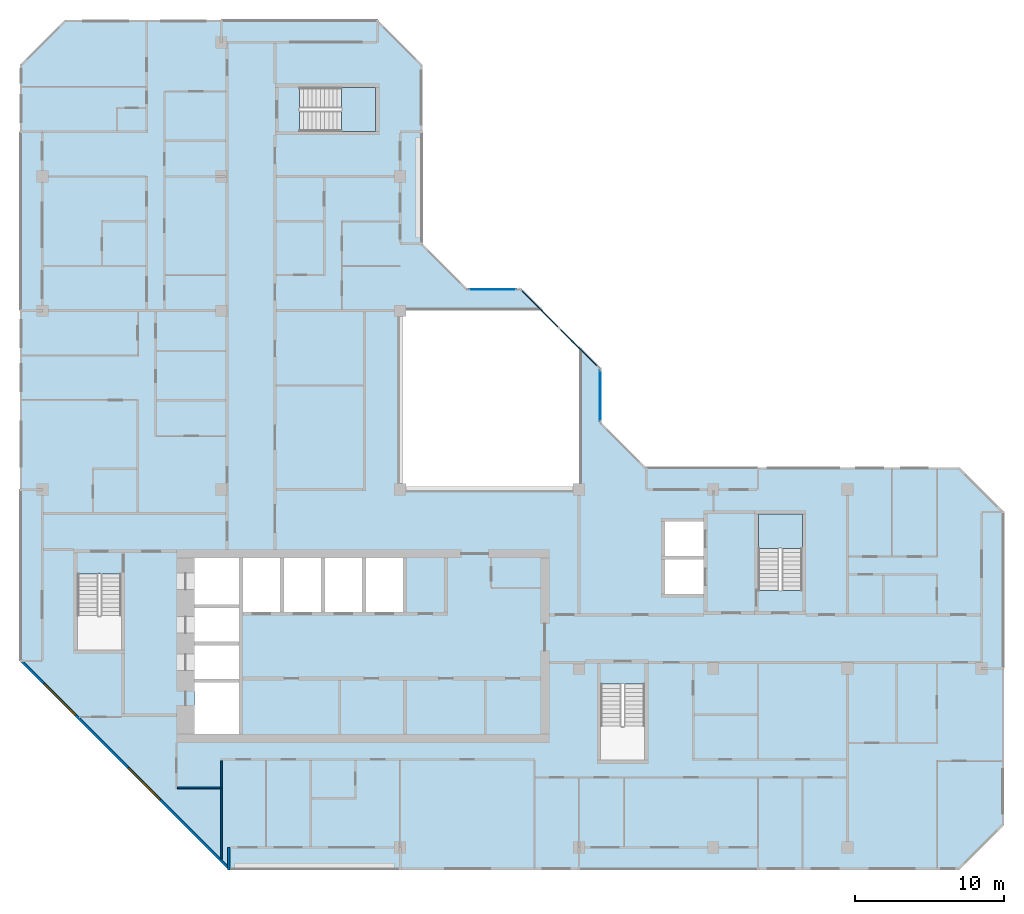
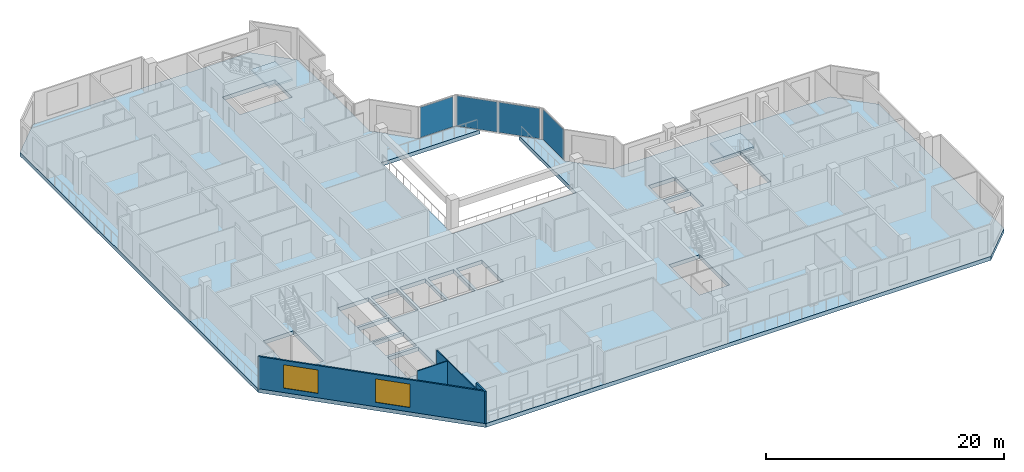
# One storey, part 3 of 13: 4 plates, 4 walls, 3 slabs, 2 windows, 2 openings, 5 elements without a shape of their own.
"""IFC4 building model written with IfcOpenShell, lengths in metres."""

import ifcopenshell
import ifcopenshell.guid

model = None  # the IFC model being written
_history = None  # IfcOwnerHistory: only IFC2X3 demands one
_inside = {}  # id of a spatial element -> (the spatial element, [elements in it])
_under = {}  # id of a project, library or spatial element -> (it, [spatial elements below it])
_declared = {}  # id of a project -> (the project, [libraries it declares])
_typed = {}  # id of a type object -> (the type object, [elements of that type])
_made_of = {}  # id of a material, layer set ... -> (it, [elements and type objects made of it])


def new_model(schema):
    """Start an empty IFC model of exactly this schema.

    Asked for "IFC4X3", IfcOpenShell would pick the latest addendum, in which some entities
    have other attributes; the version numbers below select the first issue.
    IFC2X3 requires an IfcOwnerHistory on every rooted entity: one is made here for all.
    """
    global model, _history
    if schema == "IFC4X3":
        model = ifcopenshell.file(schema_version=(4, 3, 0, 0))
    else:
        model = ifcopenshell.file(schema=schema)
    _inside.clear()
    _under.clear()
    _declared.clear()
    _typed.clear()
    _made_of.clear()
    _history = None
    if model.schema == "IFC2X3":
        org = make("IfcOrganization", Name="unknown")
        user = make(
            "IfcPersonAndOrganization",
            ThePerson=make("IfcPerson", FamilyName="unknown"),
            TheOrganization=org,
        )
        app = make(
            "IfcApplication",
            ApplicationDeveloper=org,
            Version="unknown",
            ApplicationFullName="unknown",
            ApplicationIdentifier="unknown",
        )
        _history = make(
            "IfcOwnerHistory",
            OwningUser=user,
            OwningApplication=app,
            ChangeAction="ADDED",
            CreationDate=0,
        )
    return model


def make(cls, **values):
    """One entity of the class cls with the attributes given. An attribute that is None is left unset."""
    return model.create_entity(
        cls, **{name: value for name, value in values.items() if value is not None}
    )


def rooted(cls, **values):
    """An entity with a GlobalId (a new one), such as an element, a storey or a relation."""
    return make(cls, GlobalId=ifcopenshell.guid.new(), OwnerHistory=_history, **values)


def si_unit(unit_type, name, prefix=None):
    """IfcSIUnit, for example si_unit("LENGTHUNIT", "METRE", prefix="MILLI")."""
    return make("IfcSIUnit", UnitType=unit_type, Prefix=prefix, Name=name)


def assignment(units):
    """IfcUnitAssignment: the units of a project."""
    return None if units is None else make("IfcUnitAssignment", Units=units)


def point(xyz):
    """IfcCartesianPoint."""
    return None if xyz is None else make("IfcCartesianPoint", Coordinates=xyz)


def direction(xyz):
    """IfcDirection."""
    return None if xyz is None else make("IfcDirection", DirectionRatios=xyz)


def frame(location, z_axis=None, x_axis=None):
    """IfcAxis2Placement3D, a coordinate frame: its origin and axes. An axis left out is left unset."""
    return make(
        "IfcAxis2Placement3D",
        Location=point(location),
        Axis=direction(z_axis),
        RefDirection=direction(x_axis),
    )


def frame_2d(location, x_axis=None):
    """IfcAxis2Placement2D, a coordinate frame in the plane: its origin and x axis."""
    return make(
        "IfcAxis2Placement2D", Location=point(location), RefDirection=direction(x_axis)
    )


def origin():
    """The frame at (0, 0, 0) with its axes left unset."""
    return frame((0.0, 0.0, 0.0))


def origin_2d():
    """The frame at (0, 0) in the plane with its x axis left unset."""
    return frame_2d((0.0, 0.0))


def place(relative_to, where):
    """IfcLocalPlacement: puts the frame where relative to a parent placement (None: the world)."""
    return make(
        "IfcLocalPlacement", PlacementRelTo=relative_to, RelativePlacement=where
    )


def context(
    kind, dimensions, precision=None, world=None, true_north=None, identifier=None
):
    """IfcGeometricRepresentationContext, for example the 3D "Model" context."""
    return make(
        "IfcGeometricRepresentationContext",
        ContextIdentifier=identifier,
        ContextType=kind,
        CoordinateSpaceDimension=dimensions,
        Precision=precision,
        WorldCoordinateSystem=world,
        TrueNorth=true_north,
    )


def subcontext(parent, identifier, kind, view, scale=None):
    """IfcGeometricRepresentationSubContext, for example "Body" below "Model"."""
    return make(
        "IfcGeometricRepresentationSubContext",
        ContextIdentifier=identifier,
        ContextType=kind,
        ParentContext=parent,
        TargetScale=scale,
        TargetView=view,
    )


def project(units=None, contexts=None):
    """IfcProject with its units and contexts."""
    return rooted(
        "IfcProject",
        Name="project",
        RepresentationContexts=contexts,
        UnitsInContext=assignment(units),
    )


def spatial(cls, under=None, at=None, **own):
    """A site, building, storey or space (cls), placed at a placement, below another one or the project."""
    s = rooted(cls, ObjectPlacement=at, **own)
    if under is not None:
        _under.setdefault(under.id(), (under, []))[1].append(s)
    return s


def polyline(points):
    """IfcPolyline through the points."""
    return make("IfcPolyline", Points=[point(p) for p in points])


def profile(cls, at=None, kind="AREA", **sizes):
    """A parametric profile (cls). Its sizes go by their IFC names, for example OverallWidth=200.0."""
    return make(cls, ProfileType=kind, Position=at, **sizes)


def rectangle(**sizes):
    """IfcRectangleProfileDef."""
    return profile("IfcRectangleProfileDef", **sizes)


def outline(outer, holes=None, kind="AREA"):
    """IfcArbitraryClosedProfileDef: a profile drawn as a closed curve; with holes, ...WithVoids."""
    if holes is None:
        return make("IfcArbitraryClosedProfileDef", ProfileType=kind, OuterCurve=outer)
    return make(
        "IfcArbitraryProfileDefWithVoids",
        ProfileType=kind,
        OuterCurve=outer,
        InnerCurves=holes,
    )


def extrude(swept, where, along, depth):
    """IfcExtrudedAreaSolid: the profile swept, set in the frame where, extruded along a direction by depth."""
    return make(
        "IfcExtrudedAreaSolid",
        SweptArea=swept,
        Position=where,
        ExtrudedDirection=direction(along),
        Depth=depth,
    )


def shape(context_of_items, identifier, shape_type, items):
    """IfcShapeRepresentation: the items that make up one representation, for example the "Body"."""
    return make(
        "IfcShapeRepresentation",
        ContextOfItems=context_of_items,
        RepresentationIdentifier=identifier,
        RepresentationType=shape_type,
        Items=items,
    )


def material(Name=None, Category=None):
    """IfcMaterial."""
    return make("IfcMaterial", Name=Name, Category=Category)


def layer(
    of_material, thickness, ventilated=None, Name=None, Category=None, Priority=None
):
    """IfcMaterialLayer: one layer of a wall or slab, of a material (None: an air gap)."""
    return make(
        "IfcMaterialLayer",
        Material=of_material,
        LayerThickness=thickness,
        IsVentilated=ventilated,
        Name=Name,
        Category=Category,
        Priority=Priority,
    )


def layer_set(layers, Name=None):
    """IfcMaterialLayerSet."""
    return make("IfcMaterialLayerSet", MaterialLayers=layers, LayerSetName=Name)


def made_of(thing, what):
    """Note that an element or type object is made of a material, layer set ...; save() writes the relation."""
    if what is not None:
        _made_of.setdefault(what.id(), (what, []))[1].append(thing)
    return thing


def type_object(cls, material=None, **own):
    """A type object (cls), such as IfcWallType, which elements share."""
    return made_of(rooted(cls, **own), material)


def element(
    cls,
    number,
    at=None,
    inside=None,
    cuts=None,
    type_object=None,
    material=None,
    context=None,
    identifier="Body",
    shape_type=None,
    held_by="IfcProductDefinitionShape",
    body=None,
    shapes=None,
    **own,
):
    """One element of the class cls, such as IfcWall. Its Tag is "e" and its number.

    at: its placement. inside: the storey or other place that contains it. cuts: it is an
    opening in that element (IfcRelVoidsElement). A single representation is given by context,
    identifier, shape_type and body (its items); several are given by shapes. held_by: the class
    of the entity that holds the representations. save() writes the other relations.
    """
    e = rooted(cls, Tag="e%d" % number, ObjectPlacement=at, **own)
    if body is not None:
        shapes = [shape(context, identifier, shape_type, body)]
    if shapes is not None:
        e.Representation = make(held_by, Representations=shapes)
    if inside is not None:
        _inside.setdefault(inside.id(), (inside, []))[1].append(e)
    if cuts is not None:
        rooted(
            "IfcRelVoidsElement", RelatingBuildingElement=cuts, RelatedOpeningElement=e
        )
    if type_object is not None:
        _typed.setdefault(type_object.id(), (type_object, []))[1].append(e)
    return made_of(e, material)


def fill(opening, filler):
    """IfcRelFillsElement: the door or window that sits in an opening."""
    return rooted(
        "IfcRelFillsElement",
        RelatingOpeningElement=opening,
        RelatedBuildingElement=filler,
    )


def aggregate(whole, parts):
    """IfcRelAggregates: a whole, such as a stair, and the parts it consists of."""
    return rooted("IfcRelAggregates", RelatingObject=whole, RelatedObjects=parts)


def save(model, path):
    """Write the relations noted so far, then the file.

    IfcRelAggregates (storeys below a building ...), IfcRelContainedInSpatialStructure (elements
    in a storey), IfcRelDefinesByType, IfcRelAssociatesMaterial and IfcRelDeclares: one each for
    every whole, place, type object, material and project.
    """
    for whole, parts in _under.values():
        aggregate(whole, parts)
    for where, things in _inside.values():
        rooted(
            "IfcRelContainedInSpatialStructure",
            RelatedElements=things,
            RelatingStructure=where,
        )
    for kind, things in _typed.values():
        rooted("IfcRelDefinesByType", RelatedObjects=things, RelatingType=kind)
    for what, things in _made_of.values():
        rooted("IfcRelAssociatesMaterial", RelatedObjects=things, RelatingMaterial=what)
    for by, libraries in _declared.values():
        rooted("IfcRelDeclares", RelatingContext=by, RelatedDefinitions=libraries)
    model.write(path)


model = new_model("IFC4")

# Units and contexts
model_context = context("Model", 3, precision=1e-05, world=origin(), true_north=direction((0.0, 1.0)))
body_context = subcontext(model_context, "Body", "Model", "MODEL_VIEW")
ifc_project = project(units=[si_unit("LENGTHUNIT", "METRE"), si_unit("AREAUNIT", "SQUARE_METRE"), si_unit("VOLUMEUNIT", "CUBIC_METRE"), si_unit("PLANEANGLEUNIT", "RADIAN"), si_unit("MASSUNIT", "GRAM", prefix="KILO")], contexts=[model_context])

# Site, building, storey
site_placement = place(None, origin())
site = spatial("IfcSite", under=ifc_project, at=site_placement, CompositionType="ELEMENT")
building_placement = place(site_placement, origin())
building = spatial("IfcBuilding", under=site, at=building_placement, Name="Chenar Terraces", CompositionType="ELEMENT")
storey_placement = place(building_placement, frame((0.0, 0.0, 318.39990234375)))
storey = spatial("IfcBuildingStorey", under=building, at=storey_placement, Name="L75", CompositionType="ELEMENT", Elevation=318.39990234375)

# Curtain wall, plate
ifc_material_1 = material(Name="Aluminium framed glazing", Category="aluminium")
ifc_layer_1 = layer(ifc_material_1, 0.14990234375)
ifc_layer_set_1 = layer_set([ifc_layer_1], Name="Aluminium framed glazing")
curtain_wall_type = type_object("IfcCurtainWallType", Name="Atrium upper-zone curtain wall", PredefinedType="NOTDEFINED", material=ifc_layer_set_1)
placement_1 = place(storey_placement, origin())
curtain_wall_1 = element("IfcCurtainWall", 1, at=placement_1, inside=storey, type_object=curtain_wall_type, Name="Atrium upper-zone curtain wall", PredefinedType="NOTDEFINED")
ifc_material_2 = material(Name="Low emissivity laminated glass, solar control coating", Category="glass")
ifc_layer_2 = layer(ifc_material_2, 0.050048828125)
ifc_layer_set_2 = layer_set([ifc_layer_2], Name="Low emissivity laminated glass, solar control coating")
plate_type = type_object("IfcPlateType", Name="Atrium upper-zone glazing panel 50", PredefinedType="CURTAIN_PANEL", material=ifc_layer_set_2)
plate_1_placement = place(storey_placement, frame((37.425048828125, 30.300048828125, 0.10009765625), z_axis=(0.0, 0.0, 1.0), x_axis=(0.0, 1.0, 0.0)))
plate_1 = element("IfcPlate", 2, at=plate_1_placement, type_object=plate_type, Name="CW8-1 panel 1.1", PredefinedType="CURTAIN_PANEL", context=body_context, shape_type="SweptSolid", body=[
    extrude(rectangle(XDim=3.39990234375, YDim=0.050048828125, at=origin_2d()), origin(), (0.0, 0.0, 1.0), 3.10009765625),
])
aggregate(curtain_wall_1, [plate_1])

# Curtain wall, plates
curtain_wall_2 = element("IfcCurtainWall", 3, at=placement_1, inside=storey, type_object=curtain_wall_type, Name="Atrium upper-zone curtain wall", PredefinedType="NOTDEFINED")
plate_2_placement = place(storey_placement, frame((35.97314453125, 33.520751953125, 0.10009765625), z_axis=(0.0, 0.0, 1.0), x_axis=(-0.707106781187, 0.707106781187, 0.0)))
plate_2 = element("IfcPlate", 4, at=plate_2_placement, type_object=plate_type, Name="CW8-2 panel 1.1", PredefinedType="CURTAIN_PANEL", context=body_context, shape_type="SweptSolid", body=[
    extrude(rectangle(XDim=3.568359375, YDim=0.050048828125, at=origin_2d()), origin(), (0.0, 0.0, 1.0), 3.10009765625),
])
plate_3_placement = place(storey_placement, frame((33.379150390625, 36.11474609375, 0.10009765625), z_axis=(0.0, 0.0, 1.0), x_axis=(-0.707106781187, 0.707106781187, 0.0)))
plate_3 = element("IfcPlate", 5, at=plate_3_placement, type_object=plate_type, Name="CW8-2 panel 2.1", PredefinedType="CURTAIN_PANEL", context=body_context, shape_type="SweptSolid", body=[
    extrude(rectangle(XDim=3.568359375, YDim=0.050048828125, at=origin_2d()), origin(), (0.0, 0.0, 1.0), 3.10009765625),
])
aggregate(curtain_wall_2, [plate_2, plate_3])

# Curtain wall, plate
curtain_wall_3 = element("IfcCurtainWall", 6, at=placement_1, inside=storey, type_object=curtain_wall_type, Name="Atrium upper-zone curtain wall", PredefinedType="NOTDEFINED")
plate_4_placement = place(storey_placement, frame((30.199951171875, 37.425048828125, 0.10009765625), z_axis=(0.0, 0.0, 1.0), x_axis=(-1.0, 0.0, 0.0)))
plate_4 = element("IfcPlate", 7, at=plate_4_placement, type_object=plate_type, Name="CW8-3 panel 1.1", PredefinedType="CURTAIN_PANEL", context=body_context, shape_type="SweptSolid", body=[
    extrude(rectangle(XDim=3.199951171875, YDim=0.050048828125, at=origin_2d()), origin(), (0.0, 0.0, 1.0), 3.10009765625),
])
aggregate(curtain_wall_3, [plate_4])

# Stair, slab
ifc_material_3 = material(Name="Reinforced concrete C40/50", Category="concrete")
stair_type = type_object("IfcStairType", Name="Core stair 1400 half-turn", PredefinedType="HALF_TURN_STAIR", material=ifc_material_3)
stair_1 = element("IfcStair", 8, at=placement_1, inside=storey, type_object=stair_type, Name="L75 Stair 3", PredefinedType="HALF_TURN_STAIR")
ifc_material_4 = material(Name="Reinforced concrete C40/50", Category="concrete")
ifc_layer_3 = layer(ifc_material_4, 0.199951171875)
ifc_layer_set_3 = layer_set([ifc_layer_3], Name="Reinforced concrete C40/50")
slab_type_1 = type_object("IfcSlabType", Name="Core stair landing 200", PredefinedType="LANDING", material=ifc_layer_set_3)
placement_2 = place(storey_placement, frame((0.0, 0.0, 1.675048828125)))
slab_1 = element("IfcSlab", 9, at=placement_2, type_object=slab_type_1, Name="ST3 landing 1", PredefinedType="LANDING", context=body_context, shape_type="SweptSolid", body=[
    extrude(outline(polyline([(50.97509765625, 20.050048828125), (50.97509765625, 22.35009765625), (48.02490234375, 22.35009765625), (48.02490234375, 20.050048828125), (50.97509765625, 20.050048828125)])), origin(), (0.0, 0.0, 1.0), 0.199951171875),
])
aggregate(stair_1, [slab_1])

stair_2 = element("IfcStair", 10, at=placement_1, inside=storey, type_object=stair_type, Name="L75 Stair 4", PredefinedType="HALF_TURN_STAIR")
slab_2 = element("IfcSlab", 11, at=placement_2, type_object=slab_type_1, Name="ST4 landing 1", PredefinedType="LANDING", context=body_context, shape_type="SweptSolid", body=[
    extrude(outline(polyline([(20.050048828125, 48.02490234375), (22.35009765625, 48.02490234375), (22.35009765625, 50.97509765625), (20.050048828125, 50.97509765625), (20.050048828125, 48.02490234375)])), origin(), (0.0, 0.0, 1.0), 0.199951171875),
])
aggregate(stair_2, [slab_2])

# Slab
ifc_material_5 = material(Name="Concrete C40/50", Category="concrete")
ifc_layer_4 = layer(ifc_material_5, 0.39990234375)
ifc_layer_set_4 = layer_set([ifc_layer_4], Name="Concrete C40/50")
slab_type_2 = type_object("IfcSlabType", Name="Floor slab 400 Concrete C40/50", PredefinedType="FLOOR", material=ifc_layer_set_4)
slab_3_placement = place(storey_placement, frame((0.0, 0.0, -0.39990234375)))
element("IfcSlab", 12, at=slab_3_placement, inside=storey, type_object=slab_type_2, Name="Floor slab L75", PredefinedType="FLOOR", context=body_context, shape_type="SweptSolid", body=[
    extrude(outline(polyline([(64.5, 22.5), (64.5, 1.5), (61.5, -1.5), (12.5, -1.5), (-1.5, 12.5), (-1.5, 52.5), (1.5, 55.5), (22.5, 55.5), (25.5, 52.5), (25.5, 40.5), (28.5, 37.5), (32.10009765625, 37.5), (33.60009765625, 36.0), (24.0, 36.0), (24.0, 24.0), (36.0, 24.0), (36.0, 33.60009765625), (37.5, 32.10009765625), (37.5, 28.5), (40.5, 25.5), (61.5, 25.5), (64.5, 22.5)]), holes=[polyline([(10.199951171875, 11.050048828125), (10.199951171875, 7.60009765625), (13.199951171875, 7.60009765625), (13.199951171875, 11.050048828125), (10.199951171875, 11.050048828125)]), polyline([(13.199951171875, 13.550048828125), (10.199951171875, 13.550048828125), (10.199951171875, 11.300048828125), (13.199951171875, 11.300048828125), (13.199951171875, 13.550048828125)]), polyline([(13.199951171875, 16.050048828125), (10.199951171875, 16.050048828125), (10.199951171875, 13.800048828125), (13.199951171875, 13.800048828125), (13.199951171875, 16.050048828125)]), polyline([(2.35009765625, 13.25), (5.300048828125, 13.25), (5.300048828125, 18.35009765625), (2.35009765625, 18.35009765625), (2.35009765625, 13.25)]), polyline([(15.949951171875, 19.39990234375), (13.449951171875, 19.39990234375), (13.449951171875, 15.800048828125), (15.949951171875, 15.800048828125), (15.949951171875, 19.39990234375)]), polyline([(18.699951171875, 19.39990234375), (16.199951171875, 19.39990234375), (16.199951171875, 15.800048828125), (18.699951171875, 15.800048828125), (18.699951171875, 19.39990234375)]), polyline([(13.199951171875, 19.39990234375), (10.199951171875, 19.39990234375), (10.199951171875, 16.300048828125), (13.199951171875, 16.300048828125), (13.199951171875, 19.39990234375)]), polyline([(22.35009765625, 48.02490234375), (22.35009765625, 50.97509765625), (17.25, 50.97509765625), (17.25, 48.02490234375), (22.35009765625, 48.02490234375)]), polyline([(37.449951171875, 5.85009765625), (40.39990234375, 5.85009765625), (40.39990234375, 10.949951171875), (37.449951171875, 10.949951171875), (37.449951171875, 5.85009765625)]), polyline([(21.449951171875, 19.39990234375), (18.949951171875, 19.39990234375), (18.949951171875, 15.800048828125), (21.449951171875, 15.800048828125), (21.449951171875, 19.39990234375)]), polyline([(24.199951171875, 19.39990234375), (21.699951171875, 19.39990234375), (21.699951171875, 15.800048828125), (24.199951171875, 15.800048828125), (24.199951171875, 19.39990234375)]), polyline([(44.35009765625, 19.300048828125), (41.75, 19.300048828125), (41.75, 17.0), (44.35009765625, 17.0), (44.35009765625, 19.300048828125)]), polyline([(50.97509765625, 22.35009765625), (48.02490234375, 22.35009765625), (48.02490234375, 17.25), (50.97509765625, 17.25), (50.97509765625, 22.35009765625)]), polyline([(44.35009765625, 21.85009765625), (41.75, 21.85009765625), (41.75, 19.550048828125), (44.35009765625, 19.550048828125), (44.35009765625, 21.85009765625)])]), origin(), (0.0, 0.0, 1.0), 0.39990234375),
])

# Walls
ifc_material_6 = material(Name="Gypsum board on steel studs", Category="steel")
ifc_layer_5 = layer(ifc_material_6, 0.10009765625)
ifc_layer_set_5 = layer_set([ifc_layer_5], Name="Gypsum board on steel studs")
wall_type_1 = type_object("IfcWallType", Name="Gypsum partition 100", PredefinedType="PARTITIONING", material=ifc_layer_set_5)
wall_1_placement = place(storey_placement, frame((9.050048828125, 4.0, 0.0), z_axis=(0.0, 0.0, 1.0), x_axis=(1.0, 0.0, 0.0)))
element("IfcWall", 13, at=wall_1_placement, inside=storey, type_object=wall_type_1, Name="Partition L75-031", PredefinedType="PARTITIONING", context=body_context, shape_type="SweptSolid", body=[
    extrude(rectangle(XDim=2.89990234375, YDim=0.10009765625, at=frame_2d((1.449951171875, 0.0))), origin(), (0.0, 0.0, 1.0), 3.300048828125),
])
wall_2_placement = place(storey_placement, frame((12.0, -0.787841796875, 0.0), z_axis=(0.0, 0.0, 1.0), x_axis=(0.0, 1.0, 0.0)))
element("IfcWall", 14, at=wall_2_placement, inside=storey, type_object=wall_type_1, Name="Partition L75-033", PredefinedType="PARTITIONING", context=body_context, shape_type="SweptSolid", body=[
    extrude(rectangle(XDim=6.61279296875, YDim=0.10009765625, at=frame_2d((3.306396484375, 0.0))), origin(), (0.0, 0.0, 1.0), 3.300048828125),
])
ifc_material_7 = material(Name="Terracotta cladding on insulated backing", Category="masonry")
ifc_layer_6 = layer(ifc_material_7, 0.14990234375)
ifc_layer_set_6 = layer_set([ifc_layer_6], Name="Terracotta cladding on insulated backing")
wall_type_2 = type_object("IfcWallType", Name="Loggia return wall 150", PredefinedType="SOLIDWALL", material=ifc_layer_set_6)
wall_3_placement = place(storey_placement, frame((12.5, -1.5, 0.0), z_axis=(0.0, 0.0, 1.0), x_axis=(0.0, 1.0, 0.0)))
element("IfcWall", 15, at=wall_3_placement, inside=storey, type_object=wall_type_2, Name="Loggia return wall", PredefinedType="SOLIDWALL", context=body_context, shape_type="SweptSolid", body=[
    extrude(rectangle(XDim=1.5, YDim=0.14990234375, at=frame_2d((0.75, 0.0))), origin(), (0.0, 0.0, 1.0), 3.300048828125),
])

# Wall, openings, windows
ifc_material_8 = material(Name="Terracotta cladding on insulated backing", Category="masonry")
ifc_layer_7 = layer(ifc_material_8, 0.14990234375)
ifc_layer_set_7 = layer_set([ifc_layer_7], Name="Terracotta cladding on insulated backing")
wall_type_3 = type_object("IfcWallType", Name="Terracotta rainscreen wall 150", PredefinedType="SOLIDWALL", material=ifc_layer_set_7)
wall_4_placement = place(storey_placement, frame((-1.447021484375, 12.552978515625, 0.0), z_axis=(0.0, 0.0, 1.0), x_axis=(0.707106781187, -0.707106781187, 0.0)))
wall_4 = element("IfcWall", 16, at=wall_4_placement, inside=storey, type_object=wall_type_3, Name="Terracotta rainscreen wall", PredefinedType="SOLIDWALL", context=body_context, shape_type="SweptSolid", body=[
    extrude(rectangle(XDim=19.799072265625, YDim=0.14990234375, at=frame_2d((9.8994140625, 0.0))), origin(), (0.0, 0.0, 1.0), 3.300048828125),
])
opening_1_placement = place(wall_4_placement, frame((2.21240234375, 0.0, 0.449951171875)))
opening_1 = element("IfcOpeningElement", 17, at=opening_1_placement, cuts=wall_4, Name="Opening W300x240", PredefinedType="OPENING", context=body_context, shape_type="SweptSolid", body=[
    extrude(rectangle(XDim=3.0, YDim=2.39990234375, at=frame_2d((1.5, 1.199951171875))), frame((0.0, 0.0849609375, 0.0), z_axis=(0.0, -1.0, 0.0), x_axis=(1.0, 0.0, 0.0)), (0.0, 0.0, 1.0), 0.169921875),
])
opening_2_placement = place(wall_4_placement, frame((10.215576171875, 0.0, 0.449951171875)))
opening_2 = element("IfcOpeningElement", 18, at=opening_2_placement, cuts=wall_4, Name="Opening W300x240", PredefinedType="OPENING", context=body_context, shape_type="SweptSolid", body=[
    extrude(rectangle(XDim=3.0, YDim=2.39990234375, at=frame_2d((1.5, 1.199951171875))), frame((0.0, 0.0849609375, 0.0), z_axis=(0.0, -1.0, 0.0), x_axis=(1.0, 0.0, 0.0)), (0.0, 0.0, 1.0), 0.169921875),
])
ifc_material_9 = material(Name="Low emissivity double glazing, aluminium frame", Category="aluminium")
window_type = type_object("IfcWindowType", Name="Fixed light 3000 x 2400", PartitioningType="SINGLE_PANEL", PredefinedType="WINDOW", material=ifc_material_9)
window_1_placement = place(opening_1_placement, origin())
window_1 = element("IfcWindow", 19, at=window_1_placement, inside=storey, type_object=window_type, Name="Window", OverallHeight=2.39990234375, OverallWidth=3.0, PartitioningType="SINGLE_PANEL", PredefinedType="WINDOW", context=body_context, shape_type="SweptSolid", body=[
    extrude(rectangle(XDim=3.0, YDim=2.39990234375, at=frame_2d((1.5, 1.199951171875))), frame((0.0, 0.030029296875, 0.0), z_axis=(0.0, -1.0, 0.0), x_axis=(1.0, 0.0, 0.0)), (0.0, 0.0, 1.0), 0.06005859375),
])
fill(opening_1, window_1)
window_2_placement = place(opening_2_placement, origin())
window_2 = element("IfcWindow", 20, at=window_2_placement, inside=storey, type_object=window_type, Name="Window", OverallHeight=2.39990234375, OverallWidth=3.0, PartitioningType="SINGLE_PANEL", PredefinedType="WINDOW", context=body_context, shape_type="SweptSolid", body=[
    extrude(rectangle(XDim=3.0, YDim=2.39990234375, at=frame_2d((1.5, 1.199951171875))), frame((0.0, 0.030029296875, 0.0), z_axis=(0.0, -1.0, 0.0), x_axis=(1.0, 0.0, 0.0)), (0.0, 0.0, 1.0), 0.06005859375),
])
fill(opening_2, window_2)

save(model, "model.ifc")
